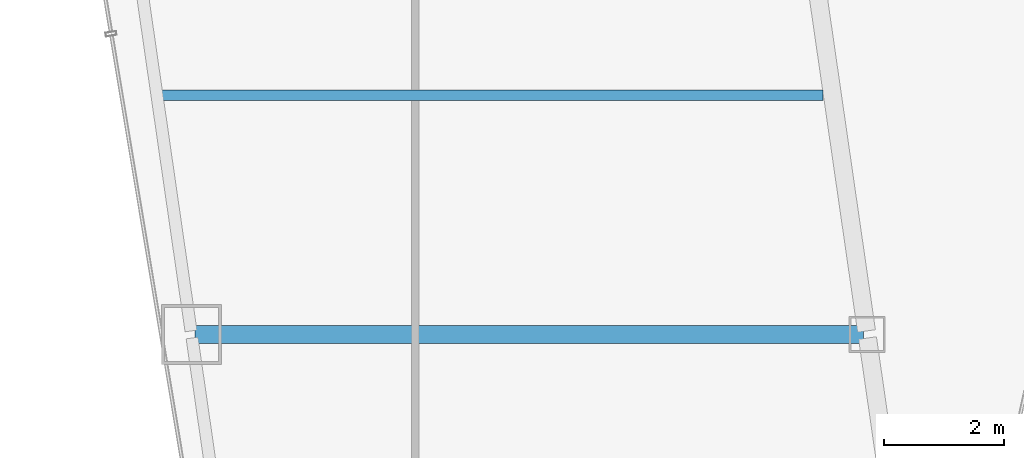
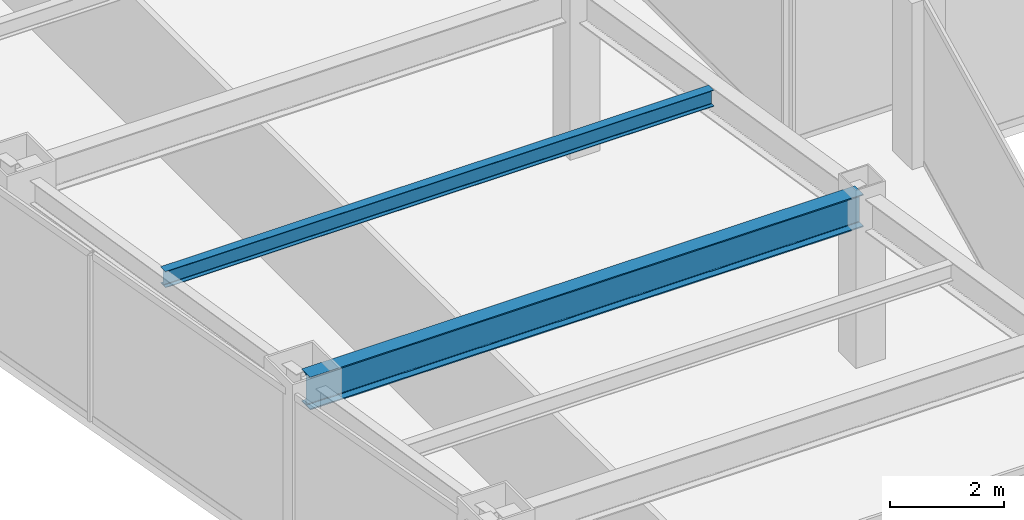
# One storey, part 4 of 36: 2 beams.
"""IFC4 building model written with IfcOpenShell, lengths in metres."""

import ifcopenshell
import ifcopenshell.guid

model = None  # the IFC model being written
_history = None  # IfcOwnerHistory: only IFC2X3 demands one
_inside = {}  # id of a spatial element -> (the spatial element, [elements in it])
_under = {}  # id of a project, library or spatial element -> (it, [spatial elements below it])
_declared = {}  # id of a project -> (the project, [libraries it declares])
_typed = {}  # id of a type object -> (the type object, [elements of that type])
_made_of = {}  # id of a material, layer set ... -> (it, [elements and type objects made of it])


def new_model(schema):
    """Start an empty IFC model of exactly this schema.

    Asked for "IFC4X3", IfcOpenShell would pick the latest addendum, in which some entities
    have other attributes; the version numbers below select the first issue.
    IFC2X3 requires an IfcOwnerHistory on every rooted entity: one is made here for all.
    """
    global model, _history
    if schema == "IFC4X3":
        model = ifcopenshell.file(schema_version=(4, 3, 0, 0))
    else:
        model = ifcopenshell.file(schema=schema)
    _inside.clear()
    _under.clear()
    _declared.clear()
    _typed.clear()
    _made_of.clear()
    _history = None
    if model.schema == "IFC2X3":
        org = make("IfcOrganization", Name="unknown")
        user = make(
            "IfcPersonAndOrganization",
            ThePerson=make("IfcPerson", FamilyName="unknown"),
            TheOrganization=org,
        )
        app = make(
            "IfcApplication",
            ApplicationDeveloper=org,
            Version="unknown",
            ApplicationFullName="unknown",
            ApplicationIdentifier="unknown",
        )
        _history = make(
            "IfcOwnerHistory",
            OwningUser=user,
            OwningApplication=app,
            ChangeAction="ADDED",
            CreationDate=0,
        )
    return model


def make(cls, **values):
    """One entity of the class cls with the attributes given. An attribute that is None is left unset."""
    return model.create_entity(
        cls, **{name: value for name, value in values.items() if value is not None}
    )


def rooted(cls, **values):
    """An entity with a GlobalId (a new one), such as an element, a storey or a relation."""
    return make(cls, GlobalId=ifcopenshell.guid.new(), OwnerHistory=_history, **values)


def si_unit(unit_type, name, prefix=None):
    """IfcSIUnit, for example si_unit("LENGTHUNIT", "METRE", prefix="MILLI")."""
    return make("IfcSIUnit", UnitType=unit_type, Prefix=prefix, Name=name)


def assignment(units):
    """IfcUnitAssignment: the units of a project."""
    return None if units is None else make("IfcUnitAssignment", Units=units)


def point(xyz):
    """IfcCartesianPoint."""
    return None if xyz is None else make("IfcCartesianPoint", Coordinates=xyz)


def direction(xyz):
    """IfcDirection."""
    return None if xyz is None else make("IfcDirection", DirectionRatios=xyz)


def frame(location, z_axis=None, x_axis=None):
    """IfcAxis2Placement3D, a coordinate frame: its origin and axes. An axis left out is left unset."""
    return make(
        "IfcAxis2Placement3D",
        Location=point(location),
        Axis=direction(z_axis),
        RefDirection=direction(x_axis),
    )


def frame_2d(location, x_axis=None):
    """IfcAxis2Placement2D, a coordinate frame in the plane: its origin and x axis."""
    return make(
        "IfcAxis2Placement2D", Location=point(location), RefDirection=direction(x_axis)
    )


def origin():
    """The frame at (0, 0, 0) with its axes left unset."""
    return frame((0.0, 0.0, 0.0))


def origin_2d():
    """The frame at (0, 0) in the plane with its x axis left unset."""
    return frame_2d((0.0, 0.0))


def place(relative_to, where):
    """IfcLocalPlacement: puts the frame where relative to a parent placement (None: the world)."""
    return make(
        "IfcLocalPlacement", PlacementRelTo=relative_to, RelativePlacement=where
    )


def context(
    kind, dimensions, precision=None, world=None, true_north=None, identifier=None
):
    """IfcGeometricRepresentationContext, for example the 3D "Model" context."""
    return make(
        "IfcGeometricRepresentationContext",
        ContextIdentifier=identifier,
        ContextType=kind,
        CoordinateSpaceDimension=dimensions,
        Precision=precision,
        WorldCoordinateSystem=world,
        TrueNorth=true_north,
    )


def subcontext(parent, identifier, kind, view, scale=None):
    """IfcGeometricRepresentationSubContext, for example "Body" below "Model"."""
    return make(
        "IfcGeometricRepresentationSubContext",
        ContextIdentifier=identifier,
        ContextType=kind,
        ParentContext=parent,
        TargetScale=scale,
        TargetView=view,
    )


def project(units=None, contexts=None):
    """IfcProject with its units and contexts."""
    return rooted(
        "IfcProject",
        Name="project",
        RepresentationContexts=contexts,
        UnitsInContext=assignment(units),
    )


def spatial(cls, under=None, at=None, **own):
    """A site, building, storey or space (cls), placed at a placement, below another one or the project."""
    s = rooted(cls, ObjectPlacement=at, **own)
    if under is not None:
        _under.setdefault(under.id(), (under, []))[1].append(s)
    return s


def profile(cls, at=None, kind="AREA", **sizes):
    """A parametric profile (cls). Its sizes go by their IFC names, for example OverallWidth=200.0."""
    return make(cls, ProfileType=kind, Position=at, **sizes)


def i_section(**sizes):
    """IfcIShapeProfileDef."""
    return profile("IfcIShapeProfileDef", **sizes)


def extrude(swept, where, along, depth):
    """IfcExtrudedAreaSolid: the profile swept, set in the frame where, extruded along a direction by depth."""
    return make(
        "IfcExtrudedAreaSolid",
        SweptArea=swept,
        Position=where,
        ExtrudedDirection=direction(along),
        Depth=depth,
    )


def shape(context_of_items, identifier, shape_type, items):
    """IfcShapeRepresentation: the items that make up one representation, for example the "Body"."""
    return make(
        "IfcShapeRepresentation",
        ContextOfItems=context_of_items,
        RepresentationIdentifier=identifier,
        RepresentationType=shape_type,
        Items=items,
    )


def material(Name=None, Category=None):
    """IfcMaterial."""
    return make("IfcMaterial", Name=Name, Category=Category)


def material_profile(
    of_material, cross_section, Name=None, Category=None, Priority=None
):
    """IfcMaterialProfile: a cross section and its material."""
    return make(
        "IfcMaterialProfile",
        Name=Name,
        Material=of_material,
        Profile=cross_section,
        Priority=Priority,
        Category=Category,
    )


def profile_set(profiles, Name=None, composite=None):
    """IfcMaterialProfileSet."""
    return make(
        "IfcMaterialProfileSet",
        Name=Name,
        MaterialProfiles=profiles,
        CompositeProfile=composite,
    )


def made_of(thing, what):
    """Note that an element or type object is made of a material, layer set ...; save() writes the relation."""
    if what is not None:
        _made_of.setdefault(what.id(), (what, []))[1].append(thing)
    return thing


def type_object(cls, material=None, **own):
    """A type object (cls), such as IfcWallType, which elements share."""
    return made_of(rooted(cls, **own), material)


def element(
    cls,
    number,
    at=None,
    inside=None,
    cuts=None,
    type_object=None,
    material=None,
    context=None,
    identifier="Body",
    shape_type=None,
    held_by="IfcProductDefinitionShape",
    body=None,
    shapes=None,
    **own,
):
    """One element of the class cls, such as IfcWall. Its Tag is "e" and its number.

    at: its placement. inside: the storey or other place that contains it. cuts: it is an
    opening in that element (IfcRelVoidsElement). A single representation is given by context,
    identifier, shape_type and body (its items); several are given by shapes. held_by: the class
    of the entity that holds the representations. save() writes the other relations.
    """
    e = rooted(cls, Tag="e%d" % number, ObjectPlacement=at, **own)
    if body is not None:
        shapes = [shape(context, identifier, shape_type, body)]
    if shapes is not None:
        e.Representation = make(held_by, Representations=shapes)
    if inside is not None:
        _inside.setdefault(inside.id(), (inside, []))[1].append(e)
    if cuts is not None:
        rooted(
            "IfcRelVoidsElement", RelatingBuildingElement=cuts, RelatedOpeningElement=e
        )
    if type_object is not None:
        _typed.setdefault(type_object.id(), (type_object, []))[1].append(e)
    return made_of(e, material)


def aggregate(whole, parts):
    """IfcRelAggregates: a whole, such as a stair, and the parts it consists of."""
    return rooted("IfcRelAggregates", RelatingObject=whole, RelatedObjects=parts)


def save(model, path):
    """Write the relations noted so far, then the file.

    IfcRelAggregates (storeys below a building ...), IfcRelContainedInSpatialStructure (elements
    in a storey), IfcRelDefinesByType, IfcRelAssociatesMaterial and IfcRelDeclares: one each for
    every whole, place, type object, material and project.
    """
    for whole, parts in _under.values():
        aggregate(whole, parts)
    for where, things in _inside.values():
        rooted(
            "IfcRelContainedInSpatialStructure",
            RelatedElements=things,
            RelatingStructure=where,
        )
    for kind, things in _typed.values():
        rooted("IfcRelDefinesByType", RelatedObjects=things, RelatingType=kind)
    for what, things in _made_of.values():
        rooted("IfcRelAssociatesMaterial", RelatedObjects=things, RelatingMaterial=what)
    for by, libraries in _declared.values():
        rooted("IfcRelDeclares", RelatingContext=by, RelatedDefinitions=libraries)
    model.write(path)


model = new_model("IFC4")

# Units and contexts
model_context = context("Model", 3, precision=1e-05, world=origin(), true_north=direction((0.0, 1.0)))
body_context = subcontext(model_context, "Body", "Model", "MODEL_VIEW")
ifc_project = project(units=[si_unit("LENGTHUNIT", "METRE"), si_unit("AREAUNIT", "SQUARE_METRE"), si_unit("VOLUMEUNIT", "CUBIC_METRE"), si_unit("PLANEANGLEUNIT", "RADIAN"), si_unit("MASSUNIT", "GRAM", prefix="KILO")], contexts=[model_context])

# Site, building, storey
site_placement = place(None, origin())
site = spatial("IfcSite", under=ifc_project, at=site_placement, CompositionType="ELEMENT")
building_placement = place(site_placement, origin())
building = spatial("IfcBuilding", under=site, at=building_placement, Name="Saevonmaru Cultural Tower", CompositionType="ELEMENT")
storey_placement = place(building_placement, frame((0.0, 0.0, 152.39990234375)))
storey = spatial("IfcBuildingStorey", under=building, at=storey_placement, Name="L33", CompositionType="ELEMENT", Elevation=152.39990234375)

# Beams
ifc_material = material(Name="Steel SM355", Category="steel")
ifc_material_profile_1 = material_profile(ifc_material, i_section(OverallWidth=0.300048828125, OverallDepth=0.699951171875, WebThickness=0.012939453125, FlangeThickness=0.02392578125, FilletRadius=0.02587890625, at=origin_2d()), Name="H-700x300x13x24")
ifc_profile_set_1 = profile_set([ifc_material_profile_1], Name="Steel SM355")
beam_type_1 = type_object("IfcBeamType", Name="BM-G-H700", PredefinedType="BEAM", material=ifc_profile_set_1)
beam_1_placement = place(storey_placement, frame((10.68798828125, 16.0, 3.2001953125), z_axis=(1.0, 0.0, 0.0), x_axis=(0.0, 1.0, 0.0)))
element("IfcBeam", 1, at=beam_1_placement, inside=storey, type_object=beam_type_1, Name="L33 West Wing Transverse Girder 2", PredefinedType="BEAM", context=body_context, shape_type="SweptSolid", body=[
    extrude(i_section(OverallWidth=0.300048828125, OverallDepth=0.699951171875, WebThickness=0.012939453125, FlangeThickness=0.02392578125, FilletRadius=0.02587890625, at=origin_2d()), origin(), (0.0, 0.0, 1.0), 11.179931640625),
])
ifc_material_profile_2 = material_profile(ifc_material, i_section(OverallWidth=0.175048828125, OverallDepth=0.35009765625, WebThickness=0.007080078125, FlangeThickness=0.010986328125, FilletRadius=0.012939453125, at=origin_2d()), Name="H-350x175x7x11")
ifc_profile_set_2 = profile_set([ifc_material_profile_2], Name="Steel SM355")
beam_type_2 = type_object("IfcBeamType", Name="BM-J-H350", PredefinedType="JOIST", material=ifc_profile_set_2)
beam_2_placement = place(storey_placement, frame((10.110107421875, 20.0, 3.375), z_axis=(1.0, 0.0, 0.0), x_axis=(0.0, 1.0, 0.0)))
element("IfcBeam", 2, at=beam_2_placement, inside=storey, type_object=beam_type_2, Name="L33 West Wing Floor Joist 2", PredefinedType="JOIST", context=body_context, shape_type="SweptSolid", body=[
    extrude(i_section(OverallWidth=0.175048828125, OverallDepth=0.35009765625, WebThickness=0.007080078125, FlangeThickness=0.010986328125, FilletRadius=0.012939453125, at=origin_2d()), origin(), (0.0, 0.0, 1.0), 11.081787109375),
])

save(model, "model.ifc")
